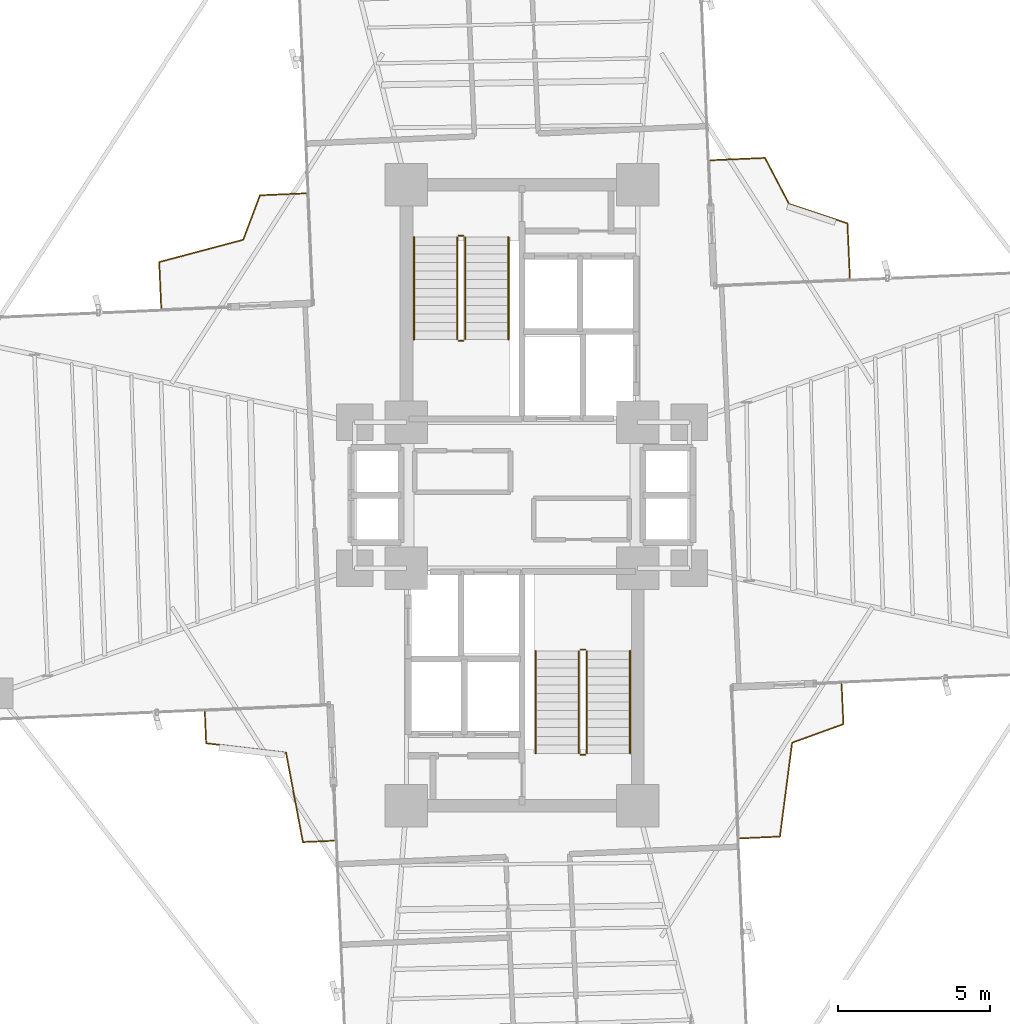
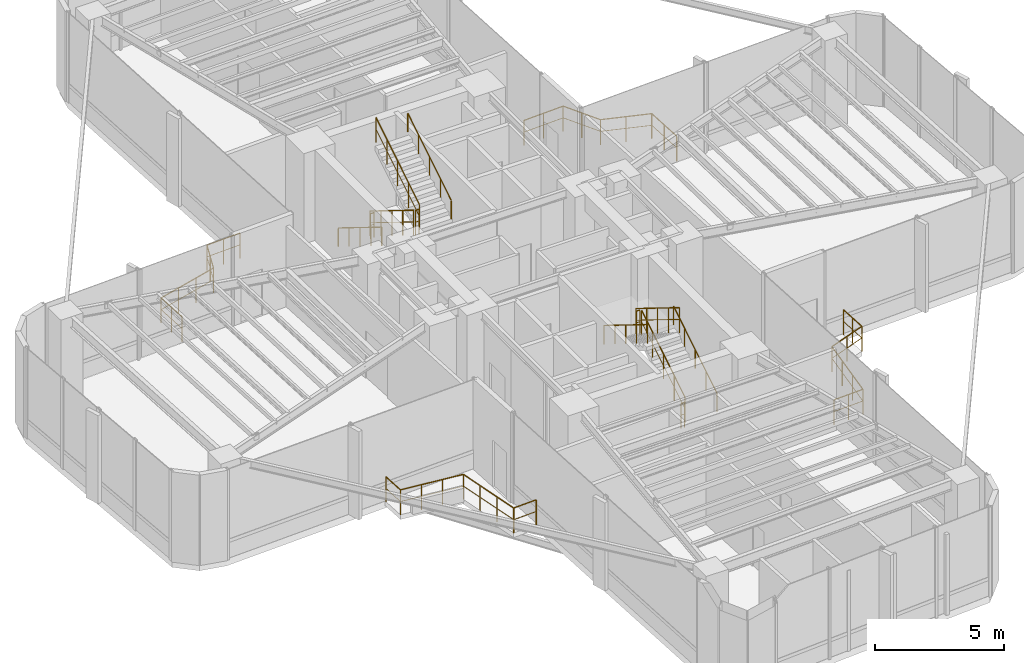
# One storey, part 21 of 21: 16 railings.
"""IFC4 building model written with IfcOpenShell, lengths in metres."""

from ifc_helpers import new_model, si_unit, direction, frame, origin, origin_2d, place, context, subcontext, project, spatial, circle, extrude, material, type_object, element, save


model = new_model("IFC4")

# Units and contexts
model_context = context("Model", 3, precision=1e-05, world=origin(), true_north=direction((0.0, 1.0)))
body_context = subcontext(model_context, "Body", "Model", "MODEL_VIEW")
ifc_project = project(units=[si_unit("LENGTHUNIT", "METRE"), si_unit("AREAUNIT", "SQUARE_METRE"), si_unit("VOLUMEUNIT", "CUBIC_METRE"), si_unit("PLANEANGLEUNIT", "RADIAN"), si_unit("MASSUNIT", "GRAM", prefix="KILO")], contexts=[model_context])

# Site, building, storey
site_placement = place(None, origin())
site = spatial("IfcSite", under=ifc_project, at=site_placement, CompositionType="ELEMENT")
building_placement = place(site_placement, origin())
building = spatial("IfcBuilding", under=site, at=building_placement, Name="Sahyath Konkavel Grand Hotel", CompositionType="ELEMENT")
storey_placement = place(building_placement, frame((0.0, 0.0, 79.0)))
storey = spatial("IfcBuildingStorey", under=building, at=storey_placement, Name="L21", CompositionType="ELEMENT", Elevation=79.0)

# Railings
ifc_material_1 = material(Name="Anodised Bronze Aluminium", Category="aluminium")
railing_type_1 = type_object("IfcRailingType", Name="RLG-BALC-1200", PredefinedType="GUARDRAIL", material=ifc_material_1)
railing_1_placement = place(storey_placement, frame((10.77294921875, 7.13671875, 0.0)))
element("IfcRailing", 1, at=railing_1_placement, inside=storey, type_object=railing_type_1, Name="L21 Winter-Garden Guard NE", PredefinedType="GUARDRAIL", context=body_context, shape_type="SweptSolid", body=[
    extrude(circle(Radius=0.02392578125, at=origin_2d()), frame((0.0, 0.001953125, 1.17578125), z_axis=(-0.043543183463, 0.999051545804, 0.0), x_axis=(-0.999051545804, -0.043543183463, 0.0)), (0.0, 0.0, 1.0), 1.7958984375),
    extrude(circle(Radius=0.01416015625, at=origin_2d()), frame((0.0, 0.001953125, 0.6240234375), z_axis=(-0.043543183463, 0.999051545804, 0.0), x_axis=(-0.999051545804, -0.043543183463, 0.0)), (0.0, 0.0, 1.0), 1.7958984375),
    extrude(circle(Radius=0.02392578125, at=origin_2d()), frame((-0.080322265625, 1.798828125, 1.17578125), z_axis=(-0.948743572087, 0.316046886431, 0.0), x_axis=(-0.316046886431, -0.948743572087, 0.0)), (0.0, 0.0, 1.0), 2.020751953125),
    extrude(circle(Radius=0.01416015625, at=origin_2d()), frame((-0.080322265625, 1.798828125, 0.6240234375), z_axis=(-0.948743572087, 0.316046886431, 0.0), x_axis=(-0.316046886431, -0.948743572087, 0.0)), (0.0, 0.0, 1.0), 2.020751953125),
    extrude(circle(Radius=0.02392578125, at=origin_2d()), frame((-2.000244140625, 2.439697265625, 1.17578125), z_axis=(-0.463471567353, 0.88611179106, 0.0), x_axis=(-0.88611179106, -0.463471567353, 0.0)), (0.0, 0.0, 1.0), 1.7001953125),
    extrude(circle(Radius=0.01416015625, at=origin_2d()), frame((-2.000244140625, 2.439697265625, 0.6240234375), z_axis=(-0.463471567353, 0.88611179106, 0.0), x_axis=(-0.88611179106, -0.463471567353, 0.0)), (0.0, 0.0, 1.0), 1.7001953125),
    extrude(circle(Radius=0.02392578125, at=origin_2d()), frame((-2.791015625, 3.947998046875, 1.17578125), z_axis=(-0.999051545804, -0.043543183463, 0.0), x_axis=(0.043543183463, -0.999051545804, 0.0)), (0.0, 0.0, 1.0), 1.7958984375),
    extrude(circle(Radius=0.01416015625, at=origin_2d()), frame((-2.791015625, 3.947998046875, 0.6240234375), z_axis=(-0.999051545804, -0.043543183463, 0.0), x_axis=(0.043543183463, -0.999051545804, 0.0)), (0.0, 0.0, 1.0), 1.7958984375),
    extrude(circle(Radius=0.02099609375, at=origin_2d()), origin(), (0.0, 0.0, 1.0), 1.15185546875),
    extrude(circle(Radius=0.02099609375, at=origin_2d()), frame((-0.0390625, 0.89892578125, 0.0)), (0.0, 0.0, 1.0), 1.15185546875),
    extrude(circle(Radius=0.02099609375, at=origin_2d()), frame((-0.078369140625, 1.798095703125, 0.0)), (0.0, 0.0, 1.0), 1.15185546875),
    extrude(circle(Radius=0.02099609375, at=origin_2d()), frame((-1.038818359375, 2.1181640625, 0.0)), (0.0, 0.0, 1.0), 1.15185546875),
    extrude(circle(Radius=0.02099609375, at=origin_2d()), frame((-1.999267578125, 2.43798828125, 0.0)), (0.0, 0.0, 1.0), 1.15185546875),
    extrude(circle(Radius=0.02099609375, at=origin_2d()), frame((-2.39404296875, 3.19287109375, 0.0)), (0.0, 0.0, 1.0), 1.15185546875),
    extrude(circle(Radius=0.02099609375, at=origin_2d()), frame((-2.7890625, 3.947998046875, 0.0)), (0.0, 0.0, 1.0), 1.15185546875),
    extrude(circle(Radius=0.02099609375, at=origin_2d()), frame((-3.68798828125, 3.90869140625, 0.0)), (0.0, 0.0, 1.0), 1.15185546875),
    extrude(circle(Radius=0.02099609375, at=origin_2d()), frame((-4.587158203125, 3.86962890625, 0.0)), (0.0, 0.0, 1.0), 1.15185546875),
])
railing_2_placement = place(storey_placement, frame((-7.099609375, 9.921875, 0.0)))
element("IfcRailing", 2, at=railing_2_placement, inside=storey, type_object=railing_type_1, Name="L21 Winter-Garden Guard NW", PredefinedType="GUARDRAIL", context=body_context, shape_type="SweptSolid", body=[
    extrude(circle(Radius=0.02392578125, at=origin_2d()), frame((-0.001953125, 0.0, 1.17578125), z_axis=(-0.999045483843, -0.043682046809, 0.0), x_axis=(0.043682046809, -0.999045483843, 0.0)), (0.0, 0.0, 1.0), 1.5107421875),
    extrude(circle(Radius=0.01416015625, at=origin_2d()), frame((-0.001953125, 0.0, 0.6240234375), z_axis=(-0.999045483843, -0.043682046809, 0.0), x_axis=(0.043682046809, -0.999045483843, 0.0)), (0.0, 0.0, 1.0), 1.5107421875),
    extrude(circle(Radius=0.02392578125, at=origin_2d()), frame((-1.513916015625, -0.068115234375, 1.17578125), z_axis=(-0.351963672201, -0.936013660932, 0.0), x_axis=(0.936013660932, -0.351963672201, 0.0)), (0.0, 0.0, 1.0), 1.555908203125),
    extrude(circle(Radius=0.01416015625, at=origin_2d()), frame((-1.513916015625, -0.068115234375, 0.6240234375), z_axis=(-0.351963672201, -0.936013660932, 0.0), x_axis=(0.936013660932, -0.351963672201, 0.0)), (0.0, 0.0, 1.0), 1.555908203125),
    extrude(circle(Radius=0.02392578125, at=origin_2d()), frame((-2.064208984375, -1.52685546875, 1.17578125), z_axis=(-0.966479827003, -0.256742563662, 0.0), x_axis=(0.256742563662, -0.966479827003, 0.0)), (0.0, 0.0, 1.0), 2.853515625),
    extrude(circle(Radius=0.01416015625, at=origin_2d()), frame((-2.064208984375, -1.52685546875, 0.6240234375), z_axis=(-0.966479827003, -0.256742563662, 0.0), x_axis=(0.256742563662, -0.966479827003, 0.0)), (0.0, 0.0, 1.0), 2.853515625),
    extrude(circle(Radius=0.02392578125, at=origin_2d()), frame((-4.823974609375, -2.261962890625, 1.17578125), z_axis=(0.043682046809, -0.999045483843, 0.0), x_axis=(0.999045483843, 0.043682046809, 0.0)), (0.0, 0.0, 1.0), 1.5107421875),
    extrude(circle(Radius=0.01416015625, at=origin_2d()), frame((-4.823974609375, -2.261962890625, 0.6240234375), z_axis=(0.043682046809, -0.999045483843, 0.0), x_axis=(0.999045483843, 0.043682046809, 0.0)), (0.0, 0.0, 1.0), 1.5107421875),
    extrude(circle(Radius=0.02099609375, at=origin_2d()), origin(), (0.0, 0.0, 1.0), 1.15185546875),
    extrude(circle(Radius=0.02099609375, at=origin_2d()), frame((-0.756591796875, -0.033203125, 0.0)), (0.0, 0.0, 1.0), 1.15185546875),
    extrude(circle(Radius=0.02099609375, at=origin_2d()), frame((-1.51318359375, -0.066162109375, 0.0)), (0.0, 0.0, 1.0), 1.15185546875),
    extrude(circle(Radius=0.02099609375, at=origin_2d()), frame((-1.78759765625, -0.79638671875, 0.0)), (0.0, 0.0, 1.0), 1.15185546875),
    extrude(circle(Radius=0.02099609375, at=origin_2d()), frame((-2.062255859375, -1.5263671875, 0.0)), (0.0, 0.0, 1.0), 1.15185546875),
    extrude(circle(Radius=0.02099609375, at=origin_2d()), frame((-2.98291015625, -1.77099609375, 0.0)), (0.0, 0.0, 1.0), 1.15185546875),
    extrude(circle(Radius=0.02099609375, at=origin_2d()), frame((-3.9033203125, -2.015380859375, 0.0)), (0.0, 0.0, 1.0), 1.15185546875),
    extrude(circle(Radius=0.02099609375, at=origin_2d()), frame((-4.823974609375, -2.260009765625, 0.0)), (0.0, 0.0, 1.0), 1.15185546875),
    extrude(circle(Radius=0.02099609375, at=origin_2d()), frame((-4.791015625, -3.0166015625, 0.0)), (0.0, 0.0, 1.0), 1.15185546875),
    extrude(circle(Radius=0.02099609375, at=origin_2d()), frame((-4.7578125, -3.773193359375, 0.0)), (0.0, 0.0, 1.0), 1.15185546875),
])
railing_3_placement = place(storey_placement, frame((-10.42529296875, -7.12158203125, 0.0)))
element("IfcRailing", 3, at=railing_3_placement, inside=storey, type_object=railing_type_1, Name="L21 Winter-Garden Guard SW", PredefinedType="GUARDRAIL", context=body_context, shape_type="SweptSolid", body=[
    extrude(circle(Radius=0.02392578125, at=origin_2d()), frame((0.0, -0.001953125, 1.17578125), z_axis=(0.043519336084, -0.999052584896, 0.0), x_axis=(0.999052584896, 0.043519336084, 0.0)), (0.0, 0.0, 1.0), 1.0283203125),
    extrude(circle(Radius=0.01416015625, at=origin_2d()), frame((0.0, -0.001953125, 0.6240234375), z_axis=(0.043519336084, -0.999052584896, 0.0), x_axis=(0.999052584896, 0.043519336084, 0.0)), (0.0, 0.0, 1.0), 1.0283203125),
    extrude(circle(Radius=0.02392578125, at=origin_2d()), frame((0.046875, -1.031494140625, 1.17578125), z_axis=(0.993076016017, -0.117473513659, 0.0), x_axis=(0.117473513659, 0.993076016017, 0.0)), (0.0, 0.0, 1.0), 2.6396484375),
    extrude(circle(Radius=0.01416015625, at=origin_2d()), frame((0.046875, -1.031494140625, 0.6240234375), z_axis=(0.993076016017, -0.117473513659, 0.0), x_axis=(0.117473513659, 0.993076016017, 0.0)), (0.0, 0.0, 1.0), 2.6396484375),
    extrude(circle(Radius=0.02392578125, at=origin_2d()), frame((2.670654296875, -1.34375, 1.17578125), z_axis=(0.185196411982, -0.982701525891, 0.0), x_axis=(0.982701525891, 0.185196411982, 0.0)), (0.0, 0.0, 1.0), 2.983154296875),
    extrude(circle(Radius=0.01416015625, at=origin_2d()), frame((2.670654296875, -1.34375, 0.6240234375), z_axis=(0.185196411982, -0.982701525891, 0.0), x_axis=(0.982701525891, 0.185196411982, 0.0)), (0.0, 0.0, 1.0), 2.983154296875),
    extrude(circle(Radius=0.02392578125, at=origin_2d()), frame((3.225341796875, -4.27734375, 1.17578125), z_axis=(0.999052584896, 0.043519336084, 0.0), x_axis=(-0.043519336084, 0.999052584896, 0.0)), (0.0, 0.0, 1.0), 1.0283203125),
    extrude(circle(Radius=0.01416015625, at=origin_2d()), frame((3.225341796875, -4.27734375, 0.6240234375), z_axis=(0.999052584896, 0.043519336084, 0.0), x_axis=(-0.043519336084, 0.999052584896, 0.0)), (0.0, 0.0, 1.0), 1.0283203125),
    extrude(circle(Radius=0.02099609375, at=origin_2d()), origin(), (0.0, 0.0, 1.0), 1.15185546875),
    extrude(circle(Radius=0.02099609375, at=origin_2d()), frame((0.044921875, -1.03125, 0.0)), (0.0, 0.0, 1.0), 1.15185546875),
    extrude(circle(Radius=0.02099609375, at=origin_2d()), frame((0.919921875, -1.134765625, 0.0)), (0.0, 0.0, 1.0), 1.15185546875),
    extrude(circle(Radius=0.02099609375, at=origin_2d()), frame((1.795166015625, -1.23828125, 0.0)), (0.0, 0.0, 1.0), 1.15185546875),
    extrude(circle(Radius=0.02099609375, at=origin_2d()), frame((2.670166015625, -1.341796875, 0.0)), (0.0, 0.0, 1.0), 1.15185546875),
    extrude(circle(Radius=0.02099609375, at=origin_2d()), frame((2.8544921875, -2.3203125, 0.0)), (0.0, 0.0, 1.0), 1.15185546875),
    extrude(circle(Radius=0.02099609375, at=origin_2d()), frame((3.0390625, -3.298828125, 0.0)), (0.0, 0.0, 1.0), 1.15185546875),
    extrude(circle(Radius=0.02099609375, at=origin_2d()), frame((3.223388671875, -4.27734375, 0.0)), (0.0, 0.0, 1.0), 1.15185546875),
    extrude(circle(Radius=0.02099609375, at=origin_2d()), frame((4.254638671875, -4.232421875, 0.0)), (0.0, 0.0, 1.0), 1.15185546875),
])
railing_4_placement = place(storey_placement, frame((7.15869140625, -11.276611328125, 0.0)))
element("IfcRailing", 4, at=railing_4_placement, inside=storey, type_object=railing_type_1, Name="L21 Winter-Garden Guard SE", PredefinedType="GUARDRAIL", context=body_context, shape_type="SweptSolid", body=[
    extrude(circle(Radius=0.02392578125, at=origin_2d()), frame((0.001953125, 0.0, 1.17578125), z_axis=(0.999043176829, 0.043734778284, 0.0), x_axis=(-0.043734778284, 0.999043176829, 0.0)), (0.0, 0.0, 1.0), 1.3134765625),
    extrude(circle(Radius=0.01416015625, at=origin_2d()), frame((0.001953125, 0.0, 0.6240234375), z_axis=(0.999043176829, 0.043734778284, 0.0), x_axis=(-0.043734778284, 0.999043176829, 0.0)), (0.0, 0.0, 1.0), 1.3134765625),
    extrude(circle(Radius=0.02392578125, at=origin_2d()), frame((1.31640625, 0.0595703125, 1.17578125), z_axis=(0.12899702081, 0.991644981141, 0.0), x_axis=(-0.991644981141, 0.12899702081, 0.0)), (0.0, 0.0, 1.0), 3.107421875),
    extrude(circle(Radius=0.01416015625, at=origin_2d()), frame((1.31640625, 0.0595703125, 0.6240234375), z_axis=(0.12899702081, 0.991644981141, 0.0), x_axis=(-0.991644981141, 0.12899702081, 0.0)), (0.0, 0.0, 1.0), 3.107421875),
    extrude(circle(Radius=0.02392578125, at=origin_2d()), frame((1.719482421875, 3.143798828125, 1.17578125), z_axis=(0.94028992188, 0.340374591901, 0.0), x_axis=(-0.340374591901, 0.94028992188, 0.0)), (0.0, 0.0, 1.0), 1.787109375),
    extrude(circle(Radius=0.01416015625, at=origin_2d()), frame((1.719482421875, 3.143798828125, 0.6240234375), z_axis=(0.94028992188, 0.340374591901, 0.0), x_axis=(-0.340374591901, 0.94028992188, 0.0)), (0.0, 0.0, 1.0), 1.787109375),
    extrude(circle(Radius=0.02392578125, at=origin_2d()), frame((3.401611328125, 3.754638671875, 1.17578125), z_axis=(-0.043734778284, 0.999043176829, 0.0), x_axis=(-0.999043176829, -0.043734778284, 0.0)), (0.0, 0.0, 1.0), 1.3134765625),
    extrude(circle(Radius=0.01416015625, at=origin_2d()), frame((3.401611328125, 3.754638671875, 0.6240234375), z_axis=(-0.043734778284, 0.999043176829, 0.0), x_axis=(-0.999043176829, -0.043734778284, 0.0)), (0.0, 0.0, 1.0), 1.3134765625),
    extrude(circle(Radius=0.02099609375, at=origin_2d()), origin(), (0.0, 0.0, 1.0), 1.15185546875),
    extrude(circle(Radius=0.02099609375, at=origin_2d()), frame((0.658203125, 0.02880859375, 0.0)), (0.0, 0.0, 1.0), 1.15185546875),
    extrude(circle(Radius=0.02099609375, at=origin_2d()), frame((1.316162109375, 0.0576171875, 0.0)), (0.0, 0.0, 1.0), 1.15185546875),
    extrude(circle(Radius=0.02099609375, at=origin_2d()), frame((1.449951171875, 1.086181640625, 0.0)), (0.0, 0.0, 1.0), 1.15185546875),
    extrude(circle(Radius=0.02099609375, at=origin_2d()), frame((1.583740234375, 2.114501953125, 0.0)), (0.0, 0.0, 1.0), 1.15185546875),
    extrude(circle(Radius=0.02099609375, at=origin_2d()), frame((1.717529296875, 3.14306640625, 0.0)), (0.0, 0.0, 1.0), 1.15185546875),
    extrude(circle(Radius=0.02099609375, at=origin_2d()), frame((2.5595703125, 3.44775390625, 0.0)), (0.0, 0.0, 1.0), 1.15185546875),
    extrude(circle(Radius=0.02099609375, at=origin_2d()), frame((3.401611328125, 3.752685546875, 0.0)), (0.0, 0.0, 1.0), 1.15185546875),
    extrude(circle(Radius=0.02099609375, at=origin_2d()), frame((3.372802734375, 4.41064453125, 0.0)), (0.0, 0.0, 1.0), 1.15185546875),
    extrude(circle(Radius=0.02099609375, at=origin_2d()), frame((3.343994140625, 5.06884765625, 0.0)), (0.0, 0.0, 1.0), 1.15185546875),
])
ifc_material_2 = material(Name="Steel E350", Category="steel")
railing_type_2 = type_object("IfcRailingType", Name="RLG-STAIR-GRD", PredefinedType="GUARDRAIL", material=ifc_material_2)
railing_5_placement = place(storey_placement, frame((-2.1298828125, 8.47998046875, 0.173095703125)))
element("IfcRailing", 5, at=railing_5_placement, inside=storey, type_object=railing_type_2, Name="L21 ST-1 stair guard 1", PredefinedType="GUARDRAIL", context=body_context, shape_type="SweptSolid", body=[
    extrude(circle(Radius=0.02392578125, at=origin_2d()), frame((0.0, -0.001708984375, 1.177001953125), z_axis=(0.0, -0.850606129759, 0.525803396734), x_axis=(1.0, 0.0, 0.0)), (0.0, 0.0, 1.0), 3.946044921875),
    extrude(circle(Radius=0.01416015625, at=origin_2d()), frame((0.0, -0.001708984375, 0.625), z_axis=(0.0, -0.850606129759, 0.525803396734), x_axis=(1.0, 0.0, 0.0)), (0.0, 0.0, 1.0), 3.946044921875),
    extrude(circle(Radius=0.02099609375, at=origin_2d()), origin(), (0.0, 0.0, 1.0), 1.15185546875),
    extrude(circle(Radius=0.02099609375, at=origin_2d()), frame((0.0, -0.83984375, 0.519287109375)), (0.0, 0.0, 1.0), 1.15185546875),
    extrude(circle(Radius=0.02099609375, at=origin_2d()), frame((0.0, -1.679931640625, 1.03857421875)), (0.0, 0.0, 1.0), 1.15185546875),
    extrude(circle(Radius=0.02099609375, at=origin_2d()), frame((0.0, -2.52001953125, 1.5576171875)), (0.0, 0.0, 1.0), 1.15185546875),
    extrude(circle(Radius=0.02099609375, at=origin_2d()), frame((0.0, -3.35986328125, 2.076904296875)), (0.0, 0.0, 1.0), 1.15185546875),
])
railing_6_placement = place(storey_placement, frame((-2.080078125, 5.070068359375, 2.25)))
element("IfcRailing", 6, at=railing_6_placement, inside=storey, type_object=railing_type_2, Name="L21 ST-1 stair guard 2", PredefinedType="GUARDRAIL", context=body_context, shape_type="SweptSolid", body=[
    extrude(circle(Radius=0.02392578125, at=origin_2d()), frame((0.001953125, 0.0, 1.17578125), z_axis=(1.0, 0.0, 0.0), x_axis=(0.0, 1.0, 0.0)), (0.0, 0.0, 1.0), 0.15625),
    extrude(circle(Radius=0.01416015625, at=origin_2d()), frame((0.001953125, 0.0, 0.6240234375), z_axis=(1.0, 0.0, 0.0), x_axis=(0.0, 1.0, 0.0)), (0.0, 0.0, 1.0), 0.15625),
    extrude(circle(Radius=0.02099609375, at=origin_2d()), origin(), (0.0, 0.0, 1.0), 1.15185546875),
    extrude(circle(Radius=0.02099609375, at=origin_2d()), frame((0.16015625, 0.0, 0.0)), (0.0, 0.0, 1.0), 1.15185546875),
])
railing_7_placement = place(storey_placement, frame((-1.8701171875, 5.1201171875, 2.423095703125)))
element("IfcRailing", 7, at=railing_7_placement, inside=storey, type_object=railing_type_2, Name="L21 ST-1 stair guard 3", PredefinedType="GUARDRAIL", context=body_context, shape_type="SweptSolid", body=[
    extrude(circle(Radius=0.02392578125, at=origin_2d()), frame((0.0, 0.001708984375, 1.177001953125), z_axis=(0.0, 0.850606129759, 0.525803396734), x_axis=(-1.0, 0.0, 0.0)), (0.0, 0.0, 1.0), 3.946044921875),
    extrude(circle(Radius=0.01416015625, at=origin_2d()), frame((0.0, 0.001708984375, 0.625), z_axis=(0.0, 0.850606129759, 0.525803396734), x_axis=(-1.0, 0.0, 0.0)), (0.0, 0.0, 1.0), 3.946044921875),
    extrude(circle(Radius=0.02099609375, at=origin_2d()), origin(), (0.0, 0.0, 1.0), 1.15185546875),
    extrude(circle(Radius=0.02099609375, at=origin_2d()), frame((0.0, 0.83984375, 0.519287109375)), (0.0, 0.0, 1.0), 1.15185546875),
    extrude(circle(Radius=0.02099609375, at=origin_2d()), frame((0.0, 1.679931640625, 1.03857421875)), (0.0, 0.0, 1.0), 1.15185546875),
    extrude(circle(Radius=0.02099609375, at=origin_2d()), frame((0.0, 2.52001953125, 1.5576171875)), (0.0, 0.0, 1.0), 1.15185546875),
    extrude(circle(Radius=0.02099609375, at=origin_2d()), frame((0.0, 3.35986328125, 2.076904296875)), (0.0, 0.0, 1.0), 1.15185546875),
])
railing_8_placement = place(storey_placement, frame((-2.080078125, 8.530029296875, 0.0)))
element("IfcRailing", 8, at=railing_8_placement, inside=storey, type_object=railing_type_2, Name="L21 ST-1 stair guard 4", PredefinedType="GUARDRAIL", context=body_context, shape_type="SweptSolid", body=[
    extrude(circle(Radius=0.02392578125, at=origin_2d()), frame((0.001953125, 0.0, 1.17578125), z_axis=(1.0, 0.0, 0.0), x_axis=(0.0, 1.0, 0.0)), (0.0, 0.0, 1.0), 0.15625),
    extrude(circle(Radius=0.01416015625, at=origin_2d()), frame((0.001953125, 0.0, 0.6240234375), z_axis=(1.0, 0.0, 0.0), x_axis=(0.0, 1.0, 0.0)), (0.0, 0.0, 1.0), 0.15625),
    extrude(circle(Radius=0.02099609375, at=origin_2d()), origin(), (0.0, 0.0, 1.0), 1.15185546875),
    extrude(circle(Radius=0.02099609375, at=origin_2d()), frame((0.16015625, 0.0, 0.0)), (0.0, 0.0, 1.0), 1.15185546875),
])
railing_9_placement = place(storey_placement, frame((2.1298828125, -8.47998046875, 0.173095703125)))
element("IfcRailing", 9, at=railing_9_placement, inside=storey, type_object=railing_type_2, Name="L21 ST-2 stair guard 1", PredefinedType="GUARDRAIL", context=body_context, shape_type="SweptSolid", body=[
    extrude(circle(Radius=0.02392578125, at=origin_2d()), frame((0.0, 0.001708984375, 1.177001953125), z_axis=(0.0, 0.850606129759, 0.525803396734), x_axis=(-1.0, 0.0, 0.0)), (0.0, 0.0, 1.0), 3.946044921875),
    extrude(circle(Radius=0.01416015625, at=origin_2d()), frame((0.0, 0.001708984375, 0.625), z_axis=(0.0, 0.850606129759, 0.525803396734), x_axis=(-1.0, 0.0, 0.0)), (0.0, 0.0, 1.0), 3.946044921875),
    extrude(circle(Radius=0.02099609375, at=origin_2d()), origin(), (0.0, 0.0, 1.0), 1.15185546875),
    extrude(circle(Radius=0.02099609375, at=origin_2d()), frame((0.0, 0.83984375, 0.519287109375)), (0.0, 0.0, 1.0), 1.15185546875),
    extrude(circle(Radius=0.02099609375, at=origin_2d()), frame((0.0, 1.679931640625, 1.03857421875)), (0.0, 0.0, 1.0), 1.15185546875),
    extrude(circle(Radius=0.02099609375, at=origin_2d()), frame((0.0, 2.52001953125, 1.5576171875)), (0.0, 0.0, 1.0), 1.15185546875),
    extrude(circle(Radius=0.02099609375, at=origin_2d()), frame((0.0, 3.35986328125, 2.076904296875)), (0.0, 0.0, 1.0), 1.15185546875),
])
railing_10_placement = place(storey_placement, frame((2.080078125, -5.070068359375, 2.25)))
element("IfcRailing", 10, at=railing_10_placement, inside=storey, type_object=railing_type_2, Name="L21 ST-2 stair guard 2", PredefinedType="GUARDRAIL", context=body_context, shape_type="SweptSolid", body=[
    extrude(circle(Radius=0.02392578125, at=origin_2d()), frame((-0.001953125, 0.0, 1.17578125), z_axis=(-1.0, 0.0, 0.0), x_axis=(0.0, -1.0, 0.0)), (0.0, 0.0, 1.0), 0.15625),
    extrude(circle(Radius=0.01416015625, at=origin_2d()), frame((-0.001953125, 0.0, 0.6240234375), z_axis=(-1.0, 0.0, 0.0), x_axis=(0.0, -1.0, 0.0)), (0.0, 0.0, 1.0), 0.15625),
    extrude(circle(Radius=0.02099609375, at=origin_2d()), origin(), (0.0, 0.0, 1.0), 1.15185546875),
    extrude(circle(Radius=0.02099609375, at=origin_2d()), frame((-0.16015625, 0.0, 0.0)), (0.0, 0.0, 1.0), 1.15185546875),
])
railing_11_placement = place(storey_placement, frame((1.8701171875, -5.1201171875, 2.423095703125)))
element("IfcRailing", 11, at=railing_11_placement, inside=storey, type_object=railing_type_2, Name="L21 ST-2 stair guard 3", PredefinedType="GUARDRAIL", context=body_context, shape_type="SweptSolid", body=[
    extrude(circle(Radius=0.02392578125, at=origin_2d()), frame((0.0, -0.001708984375, 1.177001953125), z_axis=(0.0, -0.850606129759, 0.525803396734), x_axis=(1.0, 0.0, 0.0)), (0.0, 0.0, 1.0), 3.946044921875),
    extrude(circle(Radius=0.01416015625, at=origin_2d()), frame((0.0, -0.001708984375, 0.625), z_axis=(0.0, -0.850606129759, 0.525803396734), x_axis=(1.0, 0.0, 0.0)), (0.0, 0.0, 1.0), 3.946044921875),
    extrude(circle(Radius=0.02099609375, at=origin_2d()), origin(), (0.0, 0.0, 1.0), 1.15185546875),
    extrude(circle(Radius=0.02099609375, at=origin_2d()), frame((0.0, -0.83984375, 0.519287109375)), (0.0, 0.0, 1.0), 1.15185546875),
    extrude(circle(Radius=0.02099609375, at=origin_2d()), frame((0.0, -1.679931640625, 1.03857421875)), (0.0, 0.0, 1.0), 1.15185546875),
    extrude(circle(Radius=0.02099609375, at=origin_2d()), frame((0.0, -2.52001953125, 1.5576171875)), (0.0, 0.0, 1.0), 1.15185546875),
    extrude(circle(Radius=0.02099609375, at=origin_2d()), frame((0.0, -3.35986328125, 2.076904296875)), (0.0, 0.0, 1.0), 1.15185546875),
])
railing_12_placement = place(storey_placement, frame((2.080078125, -8.530029296875, 0.0)))
element("IfcRailing", 12, at=railing_12_placement, inside=storey, type_object=railing_type_2, Name="L21 ST-2 stair guard 4", PredefinedType="GUARDRAIL", context=body_context, shape_type="SweptSolid", body=[
    extrude(circle(Radius=0.02392578125, at=origin_2d()), frame((-0.001953125, 0.0, 1.17578125), z_axis=(-1.0, 0.0, 0.0), x_axis=(0.0, -1.0, 0.0)), (0.0, 0.0, 1.0), 0.15625),
    extrude(circle(Radius=0.01416015625, at=origin_2d()), frame((-0.001953125, 0.0, 0.6240234375), z_axis=(-1.0, 0.0, 0.0), x_axis=(0.0, -1.0, 0.0)), (0.0, 0.0, 1.0), 0.15625),
    extrude(circle(Radius=0.02099609375, at=origin_2d()), origin(), (0.0, 0.0, 1.0), 1.15185546875),
    extrude(circle(Radius=0.02099609375, at=origin_2d()), frame((-0.16015625, 0.0, 0.0)), (0.0, 0.0, 1.0), 1.15185546875),
])
railing_type_3 = type_object("IfcRailingType", Name="RLG-STAIR-HND", PredefinedType="HANDRAIL", material=ifc_material_1)
railing_13_placement = place(storey_placement, frame((-3.550048828125, 8.47998046875, 0.173095703125)))
element("IfcRailing", 13, at=railing_13_placement, inside=storey, type_object=railing_type_3, Name="L21 ST-1 stair handrail 1", PredefinedType="HANDRAIL", context=body_context, shape_type="SweptSolid", body=[
    extrude(circle(Radius=0.02392578125, at=origin_2d()), frame((0.0, -0.001708984375, 0.876953125), z_axis=(0.0, -0.850606129759, 0.525803396734), x_axis=(1.0, 0.0, 0.0)), (0.0, 0.0, 1.0), 3.946044921875),
    extrude(circle(Radius=0.02099609375, at=origin_2d()), origin(), (0.0, 0.0, 1.0), 0.851806640625),
    extrude(circle(Radius=0.02099609375, at=origin_2d()), frame((0.0, -0.83984375, 0.519287109375)), (0.0, 0.0, 1.0), 0.851806640625),
    extrude(circle(Radius=0.02099609375, at=origin_2d()), frame((0.0, -1.679931640625, 1.03857421875)), (0.0, 0.0, 1.0), 0.851806640625),
    extrude(circle(Radius=0.02099609375, at=origin_2d()), frame((0.0, -2.52001953125, 1.5576171875)), (0.0, 0.0, 1.0), 0.851806640625),
    extrude(circle(Radius=0.02099609375, at=origin_2d()), frame((0.0, -3.35986328125, 2.076904296875)), (0.0, 0.0, 1.0), 0.851806640625),
])
for number, where, name in (
    (14, (-0.449951171875, 5.1201171875, 2.423095703125), "L21 ST-1 stair handrail 2"),
    (15, (3.550048828125, -8.47998046875, 0.173095703125), "L21 ST-2 stair handrail 1"),
):
    element("IfcRailing", number, at=place(storey_placement, frame(where)), inside=storey, type_object=railing_type_3, Name=name, PredefinedType="HANDRAIL", context=body_context, shape_type="SweptSolid", body=[
        extrude(circle(Radius=0.02392578125, at=origin_2d()), frame((0.0, 0.001708984375, 0.876953125), z_axis=(0.0, 0.850606129759, 0.525803396734), x_axis=(-1.0, 0.0, 0.0)), (0.0, 0.0, 1.0), 3.946044921875),
        extrude(circle(Radius=0.02099609375, at=origin_2d()), origin(), (0.0, 0.0, 1.0), 0.851806640625),
        extrude(circle(Radius=0.02099609375, at=origin_2d()), frame((0.0, 0.83984375, 0.519287109375)), (0.0, 0.0, 1.0), 0.851806640625),
        extrude(circle(Radius=0.02099609375, at=origin_2d()), frame((0.0, 1.679931640625, 1.03857421875)), (0.0, 0.0, 1.0), 0.851806640625),
        extrude(circle(Radius=0.02099609375, at=origin_2d()), frame((0.0, 2.52001953125, 1.5576171875)), (0.0, 0.0, 1.0), 0.851806640625),
        extrude(circle(Radius=0.02099609375, at=origin_2d()), frame((0.0, 3.35986328125, 2.076904296875)), (0.0, 0.0, 1.0), 0.851806640625),
    ])
railing_14_placement = place(storey_placement, frame((0.449951171875, -5.1201171875, 2.423095703125)))
element("IfcRailing", 16, at=railing_14_placement, inside=storey, type_object=railing_type_3, Name="L21 ST-2 stair handrail 2", PredefinedType="HANDRAIL", context=body_context, shape_type="SweptSolid", body=[
    extrude(circle(Radius=0.02392578125, at=origin_2d()), frame((0.0, -0.001708984375, 0.876953125), z_axis=(0.0, -0.850606129759, 0.525803396734), x_axis=(1.0, 0.0, 0.0)), (0.0, 0.0, 1.0), 3.946044921875),
    extrude(circle(Radius=0.02099609375, at=origin_2d()), origin(), (0.0, 0.0, 1.0), 0.851806640625),
    extrude(circle(Radius=0.02099609375, at=origin_2d()), frame((0.0, -0.83984375, 0.519287109375)), (0.0, 0.0, 1.0), 0.851806640625),
    extrude(circle(Radius=0.02099609375, at=origin_2d()), frame((0.0, -1.679931640625, 1.03857421875)), (0.0, 0.0, 1.0), 0.851806640625),
    extrude(circle(Radius=0.02099609375, at=origin_2d()), frame((0.0, -2.52001953125, 1.5576171875)), (0.0, 0.0, 1.0), 0.851806640625),
    extrude(circle(Radius=0.02099609375, at=origin_2d()), frame((0.0, -3.35986328125, 2.076904296875)), (0.0, 0.0, 1.0), 0.851806640625),
])

save(model, "model.ifc")
